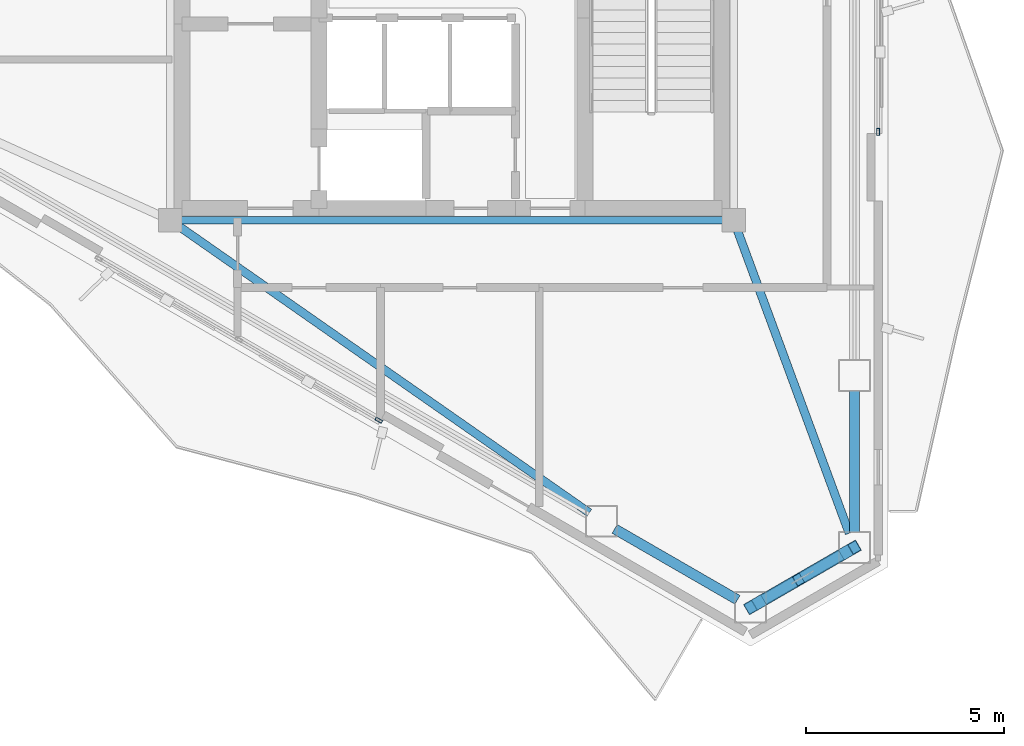
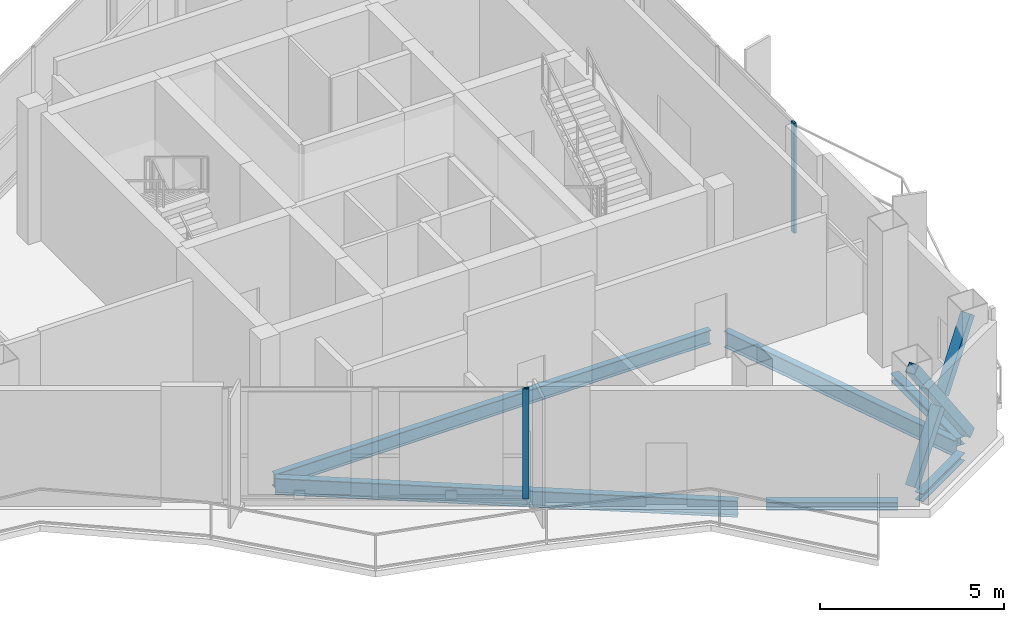
# One storey, part 4 of 14: 6 beams, 5 members, 2 elements without a shape of their own.
"""IFC4 building model written with IfcOpenShell, lengths in metres."""

from ifc_helpers import new_model, si_unit, direction, frame, origin, origin_2d, place, context, subcontext, project, spatial, hollow_rectangle, i_section, extrude, material, layer, layer_set, material_profile, profile_set, type_object, element, aggregate, save


model = new_model("IFC4")

# Units and contexts
model_context = context("Model", 3, precision=1e-05, world=origin(), true_north=direction((0.0, 1.0)))
body_context = subcontext(model_context, "Body", "Model", "MODEL_VIEW")
ifc_project = project(units=[si_unit("LENGTHUNIT", "METRE"), si_unit("AREAUNIT", "SQUARE_METRE"), si_unit("VOLUMEUNIT", "CUBIC_METRE"), si_unit("PLANEANGLEUNIT", "RADIAN"), si_unit("MASSUNIT", "GRAM", prefix="KILO")], contexts=[model_context])

# Site, building, storey
site_placement = place(None, origin())
site = spatial("IfcSite", under=ifc_project, at=site_placement, CompositionType="ELEMENT")
building_placement = place(site_placement, origin())
building = spatial("IfcBuilding", under=site, at=building_placement, Name="Mersakhor Tower and Convention Hall", CompositionType="ELEMENT")
storey_placement = place(building_placement, frame((0.0, 0.0, 249.60009765625)))
storey = spatial("IfcBuildingStorey", under=building, at=storey_placement, Name="L70", CompositionType="ELEMENT", Elevation=249.60009765625)

# Beams
ifc_material_1 = material(Name="Steel S355", Category="steel")
ifc_material_profile_1 = material_profile(ifc_material_1, i_section(OverallWidth=0.19140625, OverallDepth=0.4599609375, WebThickness=0.010009765625, FlangeThickness=0.01611328125, at=origin_2d()), Name="UB 457x191x82")
ifc_profile_set_1 = profile_set([ifc_material_profile_1], Name="Steel S355")
beam_type_1 = type_object("IfcBeamType", Name="BM-FB-457", PredefinedType="BEAM", material=ifc_profile_set_1)
beam_1_placement = place(storey_placement, frame((35.820068359375, 20.449951171875, -0.510009765625), z_axis=(-1.0, 0.0, 0.0), x_axis=(0.0, -1.0, 0.0)))
element("IfcBeam", 1, at=beam_1_placement, inside=storey, type_object=beam_type_1, Name="L70 Core Ring Tie Beam CRB-4", PredefinedType="BEAM", context=body_context, shape_type="SweptSolid", body=[
    extrude(i_section(OverallWidth=0.19140625, OverallDepth=0.4599609375, WebThickness=0.010009765625, FlangeThickness=0.01611328125, at=origin_2d()), origin(), (0.0, 0.0, 1.0), 13.64013671875),
])
ifc_material_2 = material(Name="Steel S355", Category="steel")
ifc_material_profile_2 = material_profile(ifc_material_2, i_section(OverallWidth=0.2099609375, OverallDepth=0.53662109375, WebThickness=0.0107421875, FlangeThickness=0.017333984375, at=origin_2d()), Name="UB 533x210x101")
ifc_profile_set_2 = profile_set([ifc_material_profile_2], Name="Steel S355")
beam_type_2 = type_object("IfcBeamType", Name="BM-FB-533", PredefinedType="BEAM", material=ifc_profile_set_2)
beam_2_placement = place(storey_placement, frame((36.197021484375, 20.187255859375, -0.548583984375), z_axis=(0.346207764595, -0.938157867171, 0.0), x_axis=(0.938157867171, 0.346207764595, 0.0)))
element("IfcBeam", 2, at=beam_2_placement, inside=storey, type_object=beam_type_2, Name="L70 Primary Floor Girder FG-4", PredefinedType="BEAM", context=body_context, shape_type="SweptSolid", body=[
    extrude(i_section(OverallWidth=0.2099609375, OverallDepth=0.53662109375, WebThickness=0.0107421875, FlangeThickness=0.017333984375, at=origin_2d()), origin(), (0.0, 0.0, 1.0), 8.128662109375),
])
beam_3_placement = place(storey_placement, frame((22.129638671875, 20.289794921875, -0.548583984375), z_axis=(0.819954136469, -0.572429221903, 0.0), x_axis=(0.572429221903, 0.819954136469, 0.0)))
element("IfcBeam", 3, at=beam_3_placement, inside=storey, type_object=beam_type_2, Name="L70 Primary Floor Girder FG-5", PredefinedType="BEAM", context=body_context, shape_type="SweptSolid", body=[
    extrude(i_section(OverallWidth=0.2099609375, OverallDepth=0.53662109375, WebThickness=0.0107421875, FlangeThickness=0.017333984375, at=origin_2d()), origin(), (0.0, 0.0, 1.0), 12.598388671875),
])
ifc_material_3 = material(Name="Steel S355", Category="steel")
ifc_material_profile_3 = material_profile(ifc_material_3, i_section(OverallWidth=0.25634765625, OverallDepth=0.26025390625, WebThickness=0.01025390625, FlangeThickness=0.017333984375, at=origin_2d()), Name="UC 254x254x89")
ifc_profile_set_3 = profile_set([ifc_material_profile_3], Name="Steel S355")
beam_type_3 = type_object("IfcBeamType", Name="BM-SPD-UC254", PredefinedType="SPANDREL", material=ifc_profile_set_3)
beam_4_placement = place(storey_placement, frame((39.142822265625, 16.1591796875, -0.41015625), z_axis=(0.0, -1.0, 0.0), x_axis=(1.0, 0.0, 0.0)))
element("IfcBeam", 4, at=beam_4_placement, inside=storey, type_object=beam_type_3, Name="L70 Perimeter Spandrel Beam SPB-07", PredefinedType="SPANDREL", context=body_context, shape_type="SweptSolid", body=[
    extrude(i_section(OverallWidth=0.25634765625, OverallDepth=0.26025390625, WebThickness=0.01025390625, FlangeThickness=0.017333984375, at=origin_2d()), origin(), (0.0, 0.0, 1.0), 3.574462890625),
])
beam_5_placement = place(storey_placement, frame((38.813720703125, 12.0146484375, -0.41015625), z_axis=(-0.866016678684, -0.500015112013, 0.0), x_axis=(0.500015112013, -0.866016678684, 0.0)))
element("IfcBeam", 5, at=beam_5_placement, inside=storey, type_object=beam_type_3, Name="L70 Perimeter Spandrel Beam SPB-08", PredefinedType="SPANDREL", context=body_context, shape_type="SweptSolid", body=[
    extrude(i_section(OverallWidth=0.25634765625, OverallDepth=0.26025390625, WebThickness=0.01025390625, FlangeThickness=0.017333984375, at=origin_2d()), origin(), (0.0, 0.0, 1.0), 2.2626953125),
])
beam_6_placement = place(storey_placement, frame((36.196044921875, 10.88330078125, -0.41015625), z_axis=(-0.866002454009, 0.500039748071, 0.0), x_axis=(-0.500039748071, -0.866002454009, 0.0)))
element("IfcBeam", 6, at=beam_6_placement, inside=storey, type_object=beam_type_3, Name="L70 Perimeter Spandrel Beam SPB-09", PredefinedType="SPANDREL", context=body_context, shape_type="SweptSolid", body=[
    extrude(i_section(OverallWidth=0.25634765625, OverallDepth=0.26025390625, WebThickness=0.01025390625, FlangeThickness=0.017333984375, at=origin_2d()), origin(), (0.0, 0.0, 1.0), 3.574462890625),
])

# Curtain wall, member
ifc_material_4 = material(Name="Dark solar low-E aluminium curtain wall", Category="aluminium")
ifc_layer = layer(ifc_material_4, 0.2099609375)
ifc_layer_set = layer_set([ifc_layer], Name="Dark solar low-E aluminium curtain wall")
curtain_wall_type = type_object("IfcCurtainWallType", Name="CW-SYS-06", PredefinedType="USERDEFINED", material=ifc_layer_set)
curtain_wall_1_placement = place(storey_placement, origin())
curtain_wall_1 = element("IfcCurtainWall", 7, at=curtain_wall_1_placement, inside=storey, type_object=curtain_wall_type, Name="L70 Dark-Glass Curtain Wall F2-B2", ObjectType="CURTAIN WALL", PredefinedType="USERDEFINED")
ifc_material_5 = material(Name="Anodised aluminium EN AW-6063 T6", Category="aluminium")
ifc_material_profile_4 = material_profile(ifc_material_5, hollow_rectangle(XDim=0.080078125, YDim=0.179931640625, WallThickness=0.008056640625, at=origin_2d()), Name="RHS 180x80x8")
ifc_profile_set_4 = profile_set([ifc_material_profile_4], Name="Anodised aluminium EN AW-6063 T6")
member_type_1 = type_object("IfcMemberType", Name="CWM-180x80", PredefinedType="MULLION", material=ifc_profile_set_4)
member_1_placement = place(storey_placement, frame((39.742919921875, 22.676025390625, 0.199951171875), z_axis=(0.0, 0.0, 1.0), x_axis=(1.0, 0.0, 0.0)))
member_1 = element("IfcMember", 8, at=member_1_placement, type_object=member_type_1, Name="CW-06 mullion 3", PredefinedType="MULLION", context=body_context, shape_type="SweptSolid", body=[
    extrude(hollow_rectangle(XDim=0.080078125, YDim=0.179931640625, WallThickness=0.008056640625, at=origin_2d()), origin(), (0.0, 0.0, 1.0), 3.639892578125),
])
aggregate(curtain_wall_1, [member_1])

curtain_wall_2_placement = place(storey_placement, origin())
curtain_wall_2 = element("IfcCurtainWall", 9, at=curtain_wall_2_placement, inside=storey, type_object=curtain_wall_type, Name="L70 Dark-Glass Curtain Wall F3-B2", ObjectType="CURTAIN WALL", PredefinedType="USERDEFINED")
member_2_placement = place(storey_placement, frame((27.15673828125, 15.409423828125, 0.199951171875), z_axis=(0.0, 0.0, 1.0), x_axis=(-0.500004411169, -0.86602285698, 0.0)))
member_2 = element("IfcMember", 10, at=member_2_placement, type_object=member_type_1, Name="CW-06 mullion 1", PredefinedType="MULLION", context=body_context, shape_type="SweptSolid", body=[
    extrude(hollow_rectangle(XDim=0.080078125, YDim=0.179931640625, WallThickness=0.008056640625, at=origin_2d()), origin(), (0.0, 0.0, 1.0), 3.639892578125),
])
aggregate(curtain_wall_2, [member_2])

# Members
ifc_material_6 = material(Name="Steel S355", Category="steel")
ifc_material_profile_5 = material_profile(ifc_material_6, hollow_rectangle(XDim=0.300048828125, YDim=0.300048828125, WallThickness=0.01611328125, at=origin_2d()), Name="SHS 300x300x16")
ifc_profile_set_5 = profile_set([ifc_material_profile_5], Name="Steel S355")
member_type_2 = type_object("IfcMemberType", Name="MB-BRC-SHS300", PredefinedType="BRACE", material=ifc_profile_set_5)
member_3_placement = place(storey_placement, frame((39.142822265625, 12.20458984375, 0.14990234375), z_axis=(-0.528830603885, -0.305303249212, 0.791914211525), x_axis=(0.499978822259, -0.866037630414, 0.0)))
element("IfcMember", 11, at=member_3_placement, inside=storey, type_object=member_type_2, Name="L70 Chamfer Braced Frame Diagonal CB-2A", PredefinedType="BRACE", context=body_context, shape_type="SweptSolid", body=[
    extrude(hollow_rectangle(XDim=0.300048828125, YDim=0.300048828125, WallThickness=0.01611328125, at=origin_2d()), origin(), (0.0, 0.0, 1.0), 4.949951171875),
])
for number, where, z_axis, x_axis, name in (
    (12, (36.525146484375, 10.693359375, 0.14990234375), (0.528834278571, 0.305389124127, 0.791878645168), (-0.500081682786, 0.86597823907, 0.0), "L70 Chamfer Braced Frame Diagonal CB-2B Lower Half"),
    (13, (37.920166015625, 11.498779296875, 2.239013671875), (0.528851330533, 0.305293369922, 0.791904178847), (-0.499951990857, 0.866053120102, 0.0), "L70 Chamfer Braced Frame Diagonal CB-2B Upper Half"),
):
    element("IfcMember", number, at=place(storey_placement, frame(where, z_axis=z_axis, x_axis=x_axis)), inside=storey, type_object=member_type_2, Name=name, PredefinedType="BRACE", context=body_context, shape_type="SweptSolid", body=[
        extrude(hollow_rectangle(XDim=0.300048828125, YDim=0.300048828125, WallThickness=0.01611328125, at=origin_2d()), origin(), (0.0, 0.0, 1.0), 2.31201171875),
    ])

save(model, "model.ifc")
